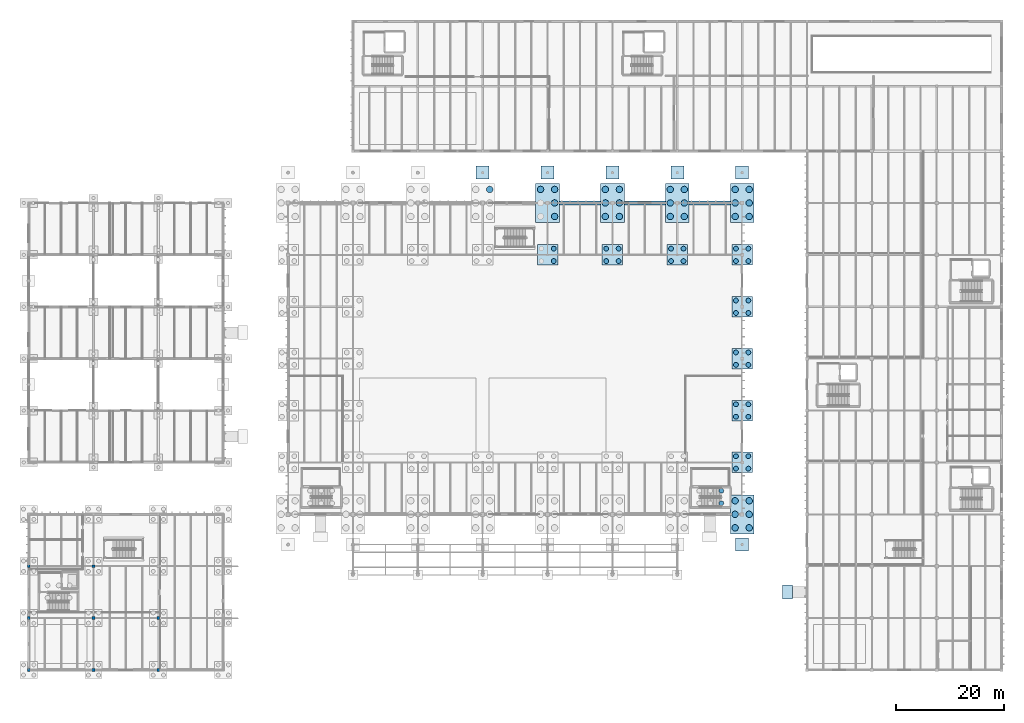
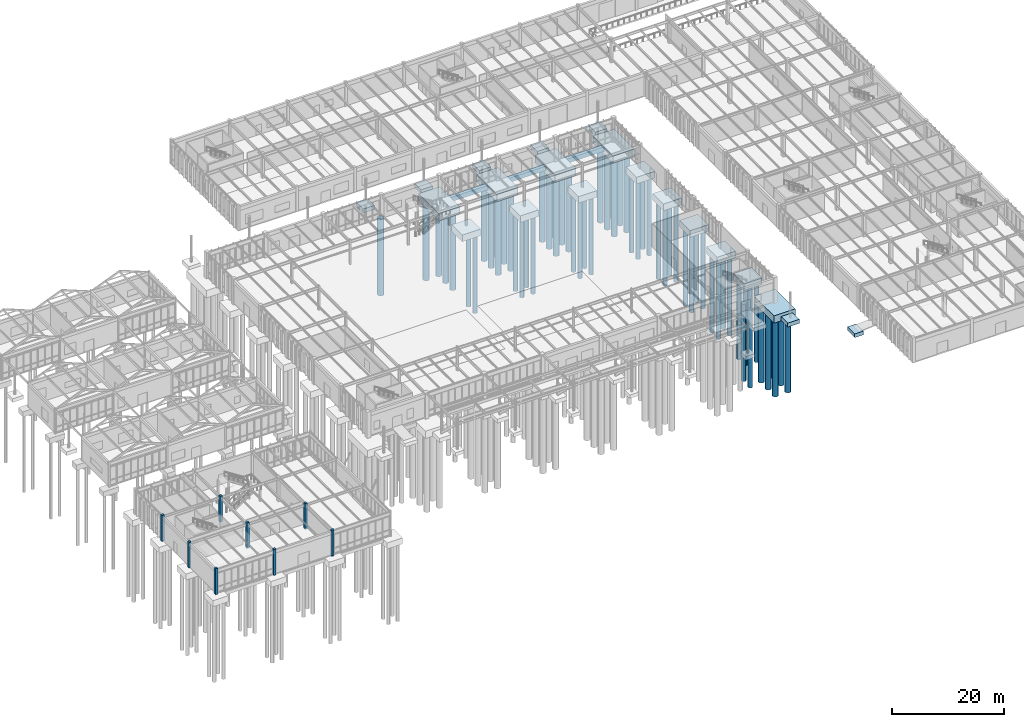
# One storey, part 3 of 188: 61 piles, 23 footings, 8 columns.
"""IFC4 building model written with IfcOpenShell, lengths in metres."""

from ifc_helpers import new_model, si_unit, direction, frame, origin, origin_2d, place, context, subcontext, project, spatial, rectangle, circle, extrude, material, material_profile, profile_set, type_object, element, save


model = new_model("IFC4")

# Units and contexts
model_context = context("Model", 3, precision=1e-05, world=origin(), true_north=direction((0.0, 1.0)))
body_context = subcontext(model_context, "Body", "Model", "MODEL_VIEW")
ifc_project = project(units=[si_unit("LENGTHUNIT", "METRE"), si_unit("AREAUNIT", "SQUARE_METRE"), si_unit("VOLUMEUNIT", "CUBIC_METRE"), si_unit("PLANEANGLEUNIT", "RADIAN"), si_unit("MASSUNIT", "GRAM", prefix="KILO")], contexts=[model_context])

# Site, building, storey
site_placement = place(None, origin())
site = spatial("IfcSite", under=ifc_project, at=site_placement, CompositionType="ELEMENT")
building_placement = place(site_placement, origin())
building = spatial("IfcBuilding", under=site, at=building_placement, Name="Pandanus Reach Market Hall", CompositionType="ELEMENT")
storey_placement = place(building_placement, origin())
storey = spatial("IfcBuildingStorey", under=building, at=storey_placement, Name="L00", CompositionType="ELEMENT", Elevation=0.0)

# Footings
ifc_material = material(Name="Concrete N40 (40 MPa)", Category="concrete")
footing_type_1 = type_object("IfcFootingType", Name="FB-03", PredefinedType="FOOTING_BEAM", material=ifc_material)
for number, where, z_axis, x_axis, name in (
    (1, (102.0, 86.39990234375, -1.25), (0.0, 0.0, 1.0), (1.0, 0.0, 0.0), "Ground tie beam FB-03 32"),
    (2, (114.0, 86.39990234375, -1.25), (0.0, 0.0, 1.0), (1.0, 0.0, 0.0), "Ground tie beam FB-03 33"),
    (3, (126.0, 86.39990234375, -1.25), (0.0, 0.0, 1.0), (1.0, 0.0, 0.0), "Ground tie beam FB-03 34"),
):
    element("IfcFooting", number, at=place(storey_placement, frame(where, z_axis=z_axis, x_axis=x_axis)), inside=storey, type_object=footing_type_1, Name=name, PredefinedType="FOOTING_BEAM", context=body_context, shape_type="SweptSolid", body=[
        extrude(rectangle(XDim=7.60009765625, YDim=0.699951171875, at=origin_2d()), origin(), (0.0, 0.0, 1.0), 0.949951171875),
    ])
footing_type_2 = type_object("IfcFootingType", Name="PC-07", PredefinedType="PILE_CAP", material=ifc_material)
for number, where, z_axis, x_axis, name in (
    (4, (96.0, 86.39990234375, -1.900146484375), (0.0, 0.0, 1.0), (1.0, 0.0, 0.0), "Pile cap PC-07 at V1A-96-864"),
    (5, (108.0, 86.39990234375, -1.900146484375), (0.0, 0.0, 1.0), (1.0, 0.0, 0.0), "Pile cap PC-07 at V1A-108-864"),
    (6, (120.0, 86.39990234375, -1.900146484375), (0.0, 0.0, 1.0), (1.0, 0.0, 0.0), "Pile cap PC-07 at V1A-120-864"),
    (7, (132.0, 28.800048828125, -1.900146484375), (0.0, 0.0, 1.0), (1.0, 0.0, 0.0), "Pile cap PC-07 at V1A-132-288"),
    (8, (132.0, 86.39990234375, -1.900146484375), (0.0, 0.0, 1.0), (1.0, 0.0, 0.0), "Pile cap PC-07 at V1A-132-864"),
):
    element("IfcFooting", number, at=place(storey_placement, frame(where, z_axis=z_axis, x_axis=x_axis)), inside=storey, type_object=footing_type_2, Name=name, PredefinedType="PILE_CAP", context=body_context, shape_type="SweptSolid", body=[
        extrude(rectangle(XDim=4.39990234375, YDim=7.199951171875, at=origin_2d()), origin(), (0.0, 0.0, 1.0), 1.60009765625),
    ])
footing_type_3 = type_object("IfcFootingType", Name="PC-08", PredefinedType="PILE_CAP", material=ifc_material)
for number, where, z_axis, x_axis, name in (
    (9, (96.0, 76.800048828125, -1.75), (0.0, 0.0, 1.0), (1.0, 0.0, 0.0), "Pile cap PC-08 at V1M-96-768"),
    (10, (108.0, 76.800048828125, -1.75), (0.0, 0.0, 1.0), (1.0, 0.0, 0.0), "Pile cap PC-08 at V1M-108-768"),
    (11, (120.0, 76.800048828125, -1.75), (0.0, 0.0, 1.0), (1.0, 0.0, 0.0), "Pile cap PC-08 at V1M-120-768"),
    (12, (132.0, 38.39990234375, -1.75), (0.0, 0.0, 1.0), (1.0, 0.0, 0.0), "Pile cap PC-08 at V1M-132-384"),
    (13, (132.0, 76.800048828125, -1.75), (0.0, 0.0, 1.0), (1.0, 0.0, 0.0), "Pile cap PC-08 at V1M-132-768"),
    (14, (132.0, 48.0, -1.75), (0.0, 0.0, 1.0), (1.0, 0.0, 0.0), "Pile cap PC-08 at V1G-132-480"),
    (15, (132.0, 57.60009765625, -1.75), (0.0, 0.0, 1.0), (1.0, 0.0, 0.0), "Pile cap PC-08 at V1G-132-576"),
    (16, (132.0, 67.199951171875, -1.75), (0.0, 0.0, 1.0), (1.0, 0.0, 0.0), "Pile cap PC-08 at V1G-132-672"),
):
    element("IfcFooting", number, at=place(storey_placement, frame(where, z_axis=z_axis, x_axis=x_axis)), inside=storey, type_object=footing_type_3, Name=name, PredefinedType="PILE_CAP", context=body_context, shape_type="SweptSolid", body=[
        extrude(rectangle(XDim=3.800048828125, YDim=3.800048828125, at=origin_2d()), origin(), (0.0, 0.0, 1.0), 1.449951171875),
    ])
footing_type_4 = type_object("IfcFootingType", Name="PD-02", PredefinedType="PAD_FOOTING", material=ifc_material)
for number, where, z_axis, x_axis, name in (
    (17, (132.0, 23.199951171875, -1.150146484375), (0.0, 0.0, 1.0), (1.0, 0.0, 0.0), "Pad footing PD-02 P8"),
    (18, (84.0, 92.0, -1.150146484375), (0.0, 0.0, 1.0), (1.0, 0.0, 0.0), "Pad footing PD-02 P12"),
    (19, (96.0, 92.0, -1.150146484375), (0.0, 0.0, 1.0), (1.0, 0.0, 0.0), "Pad footing PD-02 P13"),
    (20, (108.0, 92.0, -1.150146484375), (0.0, 0.0, 1.0), (1.0, 0.0, 0.0), "Pad footing PD-02 P14"),
    (21, (120.0, 92.0, -1.150146484375), (0.0, 0.0, 1.0), (1.0, 0.0, 0.0), "Pad footing PD-02 P15"),
    (22, (132.0, 92.0, -1.150146484375), (0.0, 0.0, 1.0), (1.0, 0.0, 0.0), "Pad footing PD-02 P16"),
):
    element("IfcFooting", number, at=place(storey_placement, frame(where, z_axis=z_axis, x_axis=x_axis)), inside=storey, type_object=footing_type_4, Name=name, PredefinedType="PAD_FOOTING", context=body_context, shape_type="SweptSolid", body=[
        extrude(rectangle(XDim=2.39990234375, YDim=2.39990234375, at=origin_2d()), origin(), (0.0, 0.0, 1.0), 0.85009765625),
    ])
footing_type_5 = type_object("IfcFootingType", Name="PD-03", PredefinedType="PAD_FOOTING", material=ifc_material)
footing_placement = place(storey_placement, frame((140.39990234375, 14.39990234375, -1.10009765625), z_axis=(0.0, 0.0, 1.0), x_axis=(0.0, 1.0, 0.0)))
element("IfcFooting", 23, at=footing_placement, inside=storey, type_object=footing_type_5, Name="Pedestrian ramp toe footing RP5", PredefinedType="PAD_FOOTING", context=body_context, shape_type="SweptSolid", body=[
    extrude(rectangle(XDim=2.60009765625, YDim=1.800048828125, at=origin_2d()), origin(), (0.0, 0.0, 1.0), 0.800048828125),
])

# Piles
ifc_material_profile_1 = material_profile(ifc_material, circle(Radius=0.60009765625, at=origin_2d()), Name="PILE-1200D", Category="LoadBearing")
ifc_profile_set_1 = profile_set([ifc_material_profile_1], Name="Concrete N40 (40 MPa)")
pile_type_1 = type_object("IfcPileType", Name="PL-1200", PredefinedType="BORED", material=ifc_profile_set_1)
for number, where, z_axis, x_axis, name in (
    (24, (85.300048828125, 88.89990234375, -1.800048828125), (0.0, 0.0, -1.0), (1.0, 0.0, 0.0), "Bored pile PL-1200 V1A-84-864.6"),
    (25, (97.300048828125, 83.89990234375, -1.800048828125), (0.0, 0.0, -1.0), (1.0, 0.0, 0.0), "Bored pile PL-1200 V1A-96-864.2"),
    (26, (97.300048828125, 86.39990234375, -1.800048828125), (0.0, 0.0, -1.0), (1.0, 0.0, 0.0), "Bored pile PL-1200 V1A-96-864.4"),
    (27, (94.699951171875, 88.89990234375, -1.800048828125), (0.0, 0.0, -1.0), (1.0, 0.0, 0.0), "Bored pile PL-1200 V1A-96-864.5"),
    (28, (97.300048828125, 88.89990234375, -1.800048828125), (0.0, 0.0, -1.0), (1.0, 0.0, 0.0), "Bored pile PL-1200 V1A-96-864.6"),
    (29, (106.699951171875, 83.89990234375, -1.800048828125), (0.0, 0.0, -1.0), (1.0, 0.0, 0.0), "Bored pile PL-1200 V1A-108-864.1"),
    (30, (109.300048828125, 83.89990234375, -1.800048828125), (0.0, 0.0, -1.0), (1.0, 0.0, 0.0), "Bored pile PL-1200 V1A-108-864.2"),
    (31, (106.699951171875, 86.39990234375, -1.800048828125), (0.0, 0.0, -1.0), (1.0, 0.0, 0.0), "Bored pile PL-1200 V1A-108-864.3"),
    (32, (109.300048828125, 86.39990234375, -1.800048828125), (0.0, 0.0, -1.0), (1.0, 0.0, 0.0), "Bored pile PL-1200 V1A-108-864.4"),
    (33, (106.699951171875, 88.89990234375, -1.800048828125), (0.0, 0.0, -1.0), (1.0, 0.0, 0.0), "Bored pile PL-1200 V1A-108-864.5"),
    (34, (109.300048828125, 88.89990234375, -1.800048828125), (0.0, 0.0, -1.0), (1.0, 0.0, 0.0), "Bored pile PL-1200 V1A-108-864.6"),
    (35, (118.699951171875, 83.89990234375, -1.800048828125), (0.0, 0.0, -1.0), (1.0, 0.0, 0.0), "Bored pile PL-1200 V1A-120-864.1"),
    (36, (121.300048828125, 83.89990234375, -1.800048828125), (0.0, 0.0, -1.0), (1.0, 0.0, 0.0), "Bored pile PL-1200 V1A-120-864.2"),
    (37, (118.699951171875, 86.39990234375, -1.800048828125), (0.0, 0.0, -1.0), (1.0, 0.0, 0.0), "Bored pile PL-1200 V1A-120-864.3"),
    (38, (121.300048828125, 86.39990234375, -1.800048828125), (0.0, 0.0, -1.0), (1.0, 0.0, 0.0), "Bored pile PL-1200 V1A-120-864.4"),
    (39, (118.699951171875, 88.89990234375, -1.800048828125), (0.0, 0.0, -1.0), (1.0, 0.0, 0.0), "Bored pile PL-1200 V1A-120-864.5"),
    (40, (121.300048828125, 88.89990234375, -1.800048828125), (0.0, 0.0, -1.0), (1.0, 0.0, 0.0), "Bored pile PL-1200 V1A-120-864.6"),
    (41, (130.699951171875, 26.300048828125, -1.800048828125), (0.0, 0.0, -1.0), (1.0, 0.0, 0.0), "Bored pile PL-1200 V1A-132-288.1"),
    (42, (133.300048828125, 26.300048828125, -1.800048828125), (0.0, 0.0, -1.0), (1.0, 0.0, 0.0), "Bored pile PL-1200 V1A-132-288.2"),
    (43, (130.699951171875, 28.800048828125, -1.800048828125), (0.0, 0.0, -1.0), (1.0, 0.0, 0.0), "Bored pile PL-1200 V1A-132-288.3"),
    (44, (133.300048828125, 28.800048828125, -1.800048828125), (0.0, 0.0, -1.0), (1.0, 0.0, 0.0), "Bored pile PL-1200 V1A-132-288.4"),
    (45, (130.699951171875, 31.300048828125, -1.800048828125), (0.0, 0.0, -1.0), (1.0, 0.0, 0.0), "Bored pile PL-1200 V1A-132-288.5"),
    (46, (133.300048828125, 31.300048828125, -1.800048828125), (0.0, 0.0, -1.0), (1.0, 0.0, 0.0), "Bored pile PL-1200 V1A-132-288.6"),
    (47, (130.699951171875, 83.89990234375, -1.800048828125), (0.0, 0.0, -1.0), (1.0, 0.0, 0.0), "Bored pile PL-1200 V1A-132-864.1"),
    (48, (133.300048828125, 83.89990234375, -1.800048828125), (0.0, 0.0, -1.0), (1.0, 0.0, 0.0), "Bored pile PL-1200 V1A-132-864.2"),
    (49, (130.699951171875, 86.39990234375, -1.800048828125), (0.0, 0.0, -1.0), (1.0, 0.0, 0.0), "Bored pile PL-1200 V1A-132-864.3"),
    (50, (133.300048828125, 86.39990234375, -1.800048828125), (0.0, 0.0, -1.0), (1.0, 0.0, 0.0), "Bored pile PL-1200 V1A-132-864.4"),
    (51, (130.699951171875, 88.89990234375, -1.800048828125), (0.0, 0.0, -1.0), (1.0, 0.0, 0.0), "Bored pile PL-1200 V1A-132-864.5"),
    (52, (133.300048828125, 88.89990234375, -1.800048828125), (0.0, 0.0, -1.0), (1.0, 0.0, 0.0), "Bored pile PL-1200 V1A-132-864.6"),
):
    element("IfcPile", number, at=place(storey_placement, frame(where, z_axis=z_axis, x_axis=x_axis)), inside=storey, type_object=pile_type_1, Name=name, PredefinedType="BORED", context=body_context, shape_type="SweptSolid", body=[
        extrude(circle(Radius=0.60009765625, at=origin_2d()), origin(), (0.0, 0.0, 1.0), 16.800048828125),
    ])
ifc_material_profile_2 = material_profile(ifc_material, circle(Radius=0.449951171875, at=origin_2d()), Name="PILE-900D", Category="LoadBearing")
ifc_profile_set_2 = profile_set([ifc_material_profile_2], Name="Concrete N40 (40 MPa)")
pile_type_2 = type_object("IfcPileType", Name="PL-900", PredefinedType="BORED", material=ifc_profile_set_2)
for number, where, z_axis, x_axis, name in (
    (53, (97.14990234375, 75.64990234375, -1.64990234375), (0.0, 0.0, -1.0), (1.0, 0.0, 0.0), "Bored pile PL-900 V1M-96-768.3"),
    (54, (97.14990234375, 77.949951171875, -1.64990234375), (0.0, 0.0, -1.0), (1.0, 0.0, 0.0), "Bored pile PL-900 V1M-96-768.4"),
    (55, (106.85009765625, 75.64990234375, -1.64990234375), (0.0, 0.0, -1.0), (1.0, 0.0, 0.0), "Bored pile PL-900 V1M-108-768.1"),
    (56, (106.85009765625, 77.949951171875, -1.64990234375), (0.0, 0.0, -1.0), (1.0, 0.0, 0.0), "Bored pile PL-900 V1M-108-768.2"),
    (57, (109.14990234375, 75.64990234375, -1.64990234375), (0.0, 0.0, -1.0), (1.0, 0.0, 0.0), "Bored pile PL-900 V1M-108-768.3"),
    (58, (109.14990234375, 77.949951171875, -1.64990234375), (0.0, 0.0, -1.0), (1.0, 0.0, 0.0), "Bored pile PL-900 V1M-108-768.4"),
    (59, (118.85009765625, 75.64990234375, -1.64990234375), (0.0, 0.0, -1.0), (1.0, 0.0, 0.0), "Bored pile PL-900 V1M-120-768.1"),
    (60, (118.85009765625, 77.949951171875, -1.64990234375), (0.0, 0.0, -1.0), (1.0, 0.0, 0.0), "Bored pile PL-900 V1M-120-768.2"),
    (61, (121.14990234375, 75.64990234375, -1.64990234375), (0.0, 0.0, -1.0), (1.0, 0.0, 0.0), "Bored pile PL-900 V1M-120-768.3"),
    (62, (121.14990234375, 77.949951171875, -1.64990234375), (0.0, 0.0, -1.0), (1.0, 0.0, 0.0), "Bored pile PL-900 V1M-120-768.4"),
    (63, (130.85009765625, 37.25, -1.64990234375), (0.0, 0.0, -1.0), (1.0, 0.0, 0.0), "Bored pile PL-900 V1M-132-384.1"),
    (64, (130.85009765625, 39.550048828125, -1.64990234375), (0.0, 0.0, -1.0), (1.0, 0.0, 0.0), "Bored pile PL-900 V1M-132-384.2"),
    (65, (133.14990234375, 37.25, -1.64990234375), (0.0, 0.0, -1.0), (1.0, 0.0, 0.0), "Bored pile PL-900 V1M-132-384.3"),
    (66, (133.14990234375, 39.550048828125, -1.64990234375), (0.0, 0.0, -1.0), (1.0, 0.0, 0.0), "Bored pile PL-900 V1M-132-384.4"),
    (67, (130.85009765625, 75.64990234375, -1.64990234375), (0.0, 0.0, -1.0), (1.0, 0.0, 0.0), "Bored pile PL-900 V1M-132-768.1"),
    (68, (130.85009765625, 77.949951171875, -1.64990234375), (0.0, 0.0, -1.0), (1.0, 0.0, 0.0), "Bored pile PL-900 V1M-132-768.2"),
    (69, (133.14990234375, 75.64990234375, -1.64990234375), (0.0, 0.0, -1.0), (1.0, 0.0, 0.0), "Bored pile PL-900 V1M-132-768.3"),
    (70, (133.14990234375, 77.949951171875, -1.64990234375), (0.0, 0.0, -1.0), (1.0, 0.0, 0.0), "Bored pile PL-900 V1M-132-768.4"),
    (71, (130.85009765625, 46.85009765625, -1.64990234375), (0.0, 0.0, -1.0), (1.0, 0.0, 0.0), "Bored pile PL-900 V1G-132-480.1"),
    (72, (130.85009765625, 49.14990234375, -1.64990234375), (0.0, 0.0, -1.0), (1.0, 0.0, 0.0), "Bored pile PL-900 V1G-132-480.2"),
    (73, (133.14990234375, 46.85009765625, -1.64990234375), (0.0, 0.0, -1.0), (1.0, 0.0, 0.0), "Bored pile PL-900 V1G-132-480.3"),
    (74, (133.14990234375, 49.14990234375, -1.64990234375), (0.0, 0.0, -1.0), (1.0, 0.0, 0.0), "Bored pile PL-900 V1G-132-480.4"),
    (75, (130.85009765625, 56.449951171875, -1.64990234375), (0.0, 0.0, -1.0), (1.0, 0.0, 0.0), "Bored pile PL-900 V1G-132-576.1"),
    (76, (130.85009765625, 58.75, -1.64990234375), (0.0, 0.0, -1.0), (1.0, 0.0, 0.0), "Bored pile PL-900 V1G-132-576.2"),
    (77, (133.14990234375, 56.449951171875, -1.64990234375), (0.0, 0.0, -1.0), (1.0, 0.0, 0.0), "Bored pile PL-900 V1G-132-576.3"),
    (78, (133.14990234375, 58.75, -1.64990234375), (0.0, 0.0, -1.0), (1.0, 0.0, 0.0), "Bored pile PL-900 V1G-132-576.4"),
    (79, (130.85009765625, 66.050048828125, -1.64990234375), (0.0, 0.0, -1.0), (1.0, 0.0, 0.0), "Bored pile PL-900 V1G-132-672.1"),
    (80, (130.85009765625, 68.35009765625, -1.64990234375), (0.0, 0.0, -1.0), (1.0, 0.0, 0.0), "Bored pile PL-900 V1G-132-672.2"),
    (81, (133.14990234375, 66.050048828125, -1.64990234375), (0.0, 0.0, -1.0), (1.0, 0.0, 0.0), "Bored pile PL-900 V1G-132-672.3"),
    (82, (133.14990234375, 68.35009765625, -1.64990234375), (0.0, 0.0, -1.0), (1.0, 0.0, 0.0), "Bored pile PL-900 V1G-132-672.4"),
):
    element("IfcPile", number, at=place(storey_placement, frame(where, z_axis=z_axis, x_axis=x_axis)), inside=storey, type_object=pile_type_2, Name=name, PredefinedType="BORED", context=body_context, shape_type="SweptSolid", body=[
        extrude(circle(Radius=0.449951171875, at=origin_2d()), origin(), (0.0, 0.0, 1.0), 17.0),
    ])
for number, where, z_axis, x_axis, name in (
    (83, (128.14990234375, 30.85009765625, -1.699951171875), (0.0, 0.0, -1.0), (1.0, 0.0, 0.0), "Core bored pile PL-900 C7.3"),
    (84, (128.14990234375, 33.14990234375, -1.699951171875), (0.0, 0.0, -1.0), (1.0, 0.0, 0.0), "Core bored pile PL-900 C7.6"),
):
    element("IfcPile", number, at=place(storey_placement, frame(where, z_axis=z_axis, x_axis=x_axis)), inside=storey, type_object=pile_type_2, Name=name, PredefinedType="BORED", context=body_context, shape_type="SweptSolid", body=[
        extrude(circle(Radius=0.449951171875, at=origin_2d()), origin(), (0.0, 0.0, 1.0), 16.89990234375),
    ])

# Columns
ifc_material_profile_3 = material_profile(ifc_material, rectangle(XDim=0.5, YDim=0.5, at=origin_2d()), Name="RC500x500", Category="LoadBearing")
ifc_profile_set_3 = profile_set([ifc_material_profile_3], Name="Concrete N40 (40 MPa)")
column_type_1 = type_object("IfcColumnType", Name="CL-RC500-E", PredefinedType="COLUMN", material=ifc_profile_set_3)
for number, where, z_axis, x_axis, name in (
    (85, (0.0, 0.0, -0.27001953125), (0.0, 0.0, 1.0), (1.0, 0.0, 0.0), "Column CL-RC500-E V3-0-0 L00"),
    (86, (12.0, 0.0, -0.27001953125), (0.0, 0.0, 1.0), (1.0, 0.0, 0.0), "Column CL-RC500-E V3-12-0 L00"),
    (87, (24.0, 0.0, -0.27001953125), (0.0, 0.0, 1.0), (1.0, 0.0, 0.0), "Column CL-RC500-E V3-24-0 L00"),
    (88, (0.0, 9.60009765625, -0.27001953125), (0.0, 0.0, 1.0), (1.0, 0.0, 0.0), "Column CL-RC500-E V3-0-96 L00"),
    (89, (24.0, 9.60009765625, -0.27001953125), (0.0, 0.0, 1.0), (1.0, 0.0, 0.0), "Column CL-RC500-E V3-24-96 L00"),
    (90, (0.0, 19.199951171875, -0.27001953125), (0.0, 0.0, 1.0), (1.0, 0.0, 0.0), "Column CL-RC500-E V3-0-192 L00"),
):
    element("IfcColumn", number, at=place(storey_placement, frame(where, z_axis=z_axis, x_axis=x_axis)), inside=storey, type_object=column_type_1, Name=name, PredefinedType="COLUMN", context=body_context, shape_type="SweptSolid", body=[
        extrude(rectangle(XDim=0.5, YDim=0.5, at=origin_2d()), origin(), (0.0, 0.0, 1.0), 5.669921875),
    ])
ifc_material_profile_4 = material_profile(ifc_material, rectangle(XDim=0.5, YDim=0.5, at=origin_2d()), Name="RC500x500", Category="LoadBearing")
ifc_profile_set_4 = profile_set([ifc_material_profile_4], Name="Concrete N40 (40 MPa)")
column_type_2 = type_object("IfcColumnType", Name="CL-RC500-I", PredefinedType="COLUMN", material=ifc_profile_set_4)
for number, where, z_axis, x_axis, name in (
    (91, (12.0, 9.60009765625, -0.27001953125), (0.0, 0.0, 1.0), (1.0, 0.0, 0.0), "Column CL-RC500-I V3-12-96 L00"),
    (92, (12.0, 19.199951171875, -0.27001953125), (0.0, 0.0, 1.0), (1.0, 0.0, 0.0), "Column CL-RC500-I V3-12-192 L00"),
):
    element("IfcColumn", number, at=place(storey_placement, frame(where, z_axis=z_axis, x_axis=x_axis)), inside=storey, type_object=column_type_2, Name=name, PredefinedType="COLUMN", context=body_context, shape_type="SweptSolid", body=[
        extrude(rectangle(XDim=0.5, YDim=0.5, at=origin_2d()), origin(), (0.0, 0.0, 1.0), 5.669921875),
    ])

save(model, "model.ifc")
